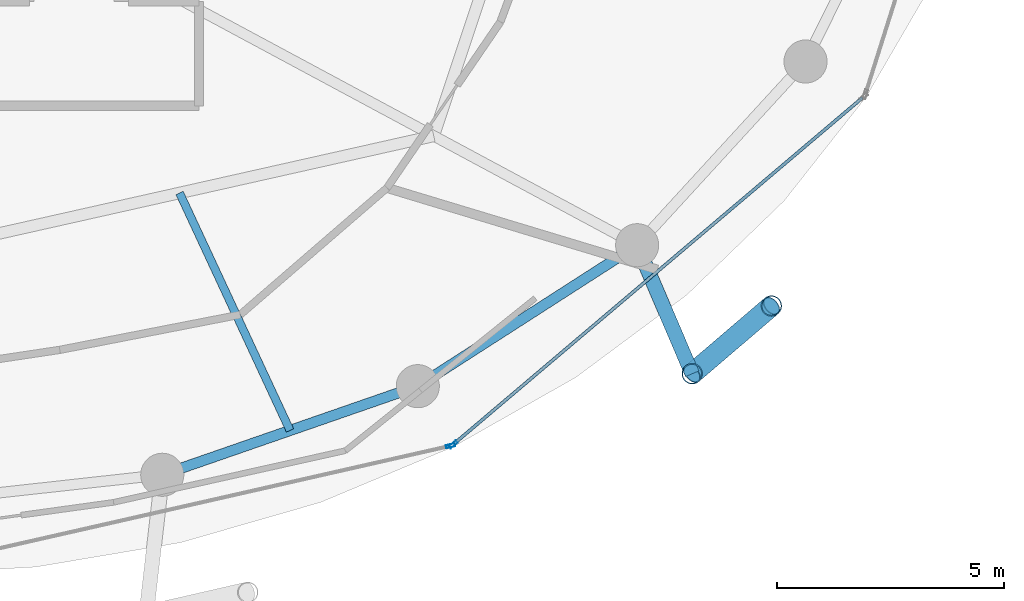
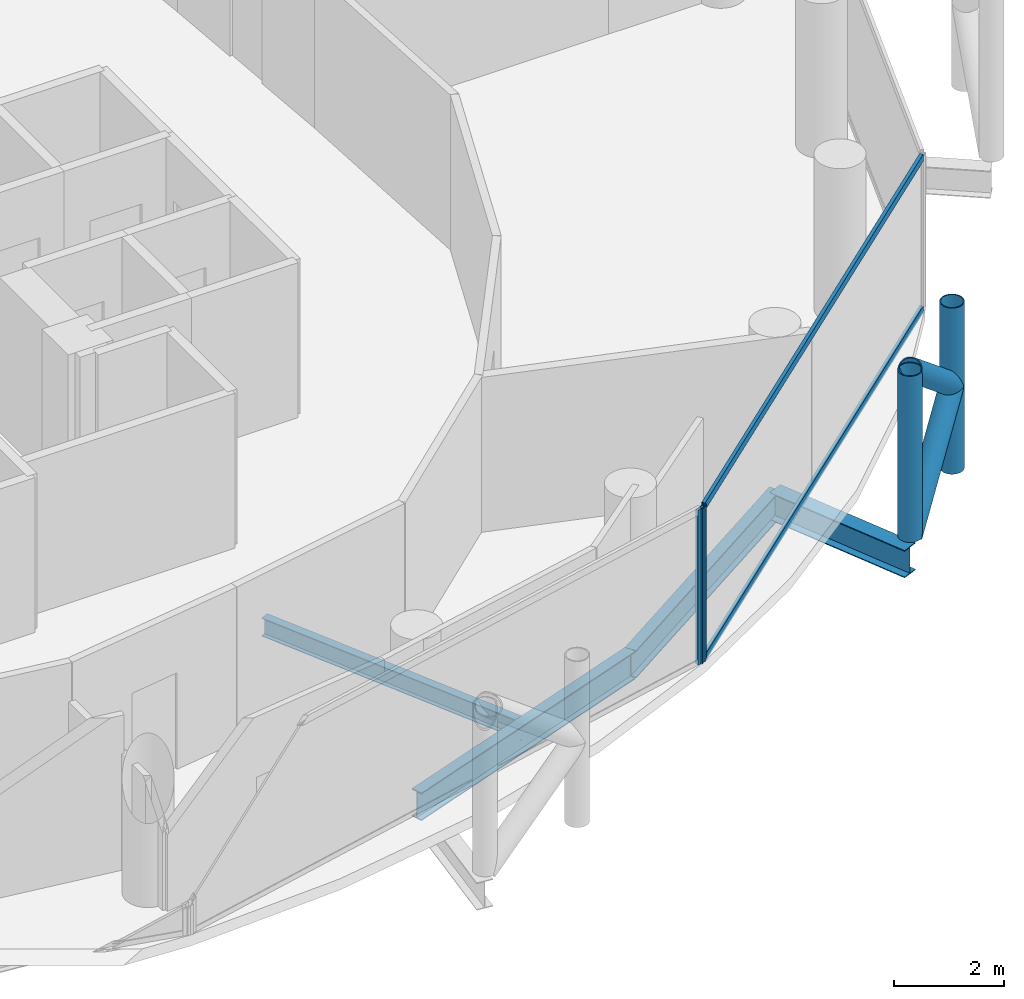
# One storey, part 8 of 26: 8 members, 4 beams, 2 elements without a shape of their own.
"""IFC4 building model written with IfcOpenShell, lengths in metres."""

from ifc_helpers import new_model, si_unit, direction, frame, origin, origin_2d, place, context, subcontext, project, spatial, hollow_rectangle, hollow_circle, i_section, extrude, material, layer, layer_set, material_profile, profile_set, type_object, element, aggregate, save


model = new_model("IFC4")

# Units and contexts
model_context = context("Model", 3, precision=1e-05, world=origin(), true_north=direction((0.0, 1.0)))
body_context = subcontext(model_context, "Body", "Model", "MODEL_VIEW")
ifc_project = project(units=[si_unit("LENGTHUNIT", "METRE"), si_unit("AREAUNIT", "SQUARE_METRE"), si_unit("VOLUMEUNIT", "CUBIC_METRE"), si_unit("PLANEANGLEUNIT", "RADIAN"), si_unit("MASSUNIT", "GRAM", prefix="KILO")], contexts=[model_context])

# Site, building, storey
site_placement = place(None, origin())
site = spatial("IfcSite", under=ifc_project, at=site_placement, CompositionType="ELEMENT")
building_placement = place(site_placement, origin())
building = spatial("IfcBuilding", under=site, at=building_placement, Name="Nuhasar Tower", CompositionType="ELEMENT")
storey_placement = place(building_placement, frame((0.0, 0.0, 188.550048828125)))
storey = spatial("IfcBuildingStorey", under=building, at=storey_placement, Name="L46", CompositionType="ELEMENT", Elevation=188.550048828125)

# Beams
ifc_material_1 = material(Name="Steel S355", Category="steel")
ifc_material_profile_1 = material_profile(ifc_material_1, i_section(OverallWidth=0.177978515625, OverallDepth=0.406005859375, WebThickness=0.0078125, FlangeThickness=0.0126953125, at=origin_2d()), Name="W16X40")
ifc_profile_set_1 = profile_set([ifc_material_profile_1], Name="Steel S355")
beam_type_1 = type_object("IfcBeamType", Name="BM-JST-W16X40", PredefinedType="JOIST", material=ifc_profile_set_1)
beam_1_placement = place(storey_placement, frame((45.424072265625, 14.1279296875, -0.453125), z_axis=(0.421729941201, -0.906721487941, 0.0), x_axis=(0.906721487941, 0.421729941201, 0.0)))
element("IfcBeam", 1, at=beam_1_placement, inside=storey, type_object=beam_type_1, Name="L46 Secondary Floor Joist 02", PredefinedType="JOIST", context=body_context, shape_type="SweptSolid", body=[
    extrude(i_section(OverallWidth=0.177978515625, OverallDepth=0.406005859375, WebThickness=0.0078125, FlangeThickness=0.0126953125, at=origin_2d()), origin(), (0.0, 0.0, 1.0), 5.7734375),
])
ifc_material_profile_2 = material_profile(ifc_material_1, i_section(OverallWidth=0.22998046875, OverallDepth=0.616943359375, WebThickness=0.01318359375, FlangeThickness=0.022216796875, at=origin_2d()), Name="W24X94")
ifc_profile_set_2 = profile_set([ifc_material_profile_2], Name="Steel S355")
beam_type_2 = type_object("IfcBeamType", Name="BM-RING-W24X94", PredefinedType="SPANDREL", material=ifc_profile_set_2)
beam_2_placement = place(storey_placement, frame((45.04296875, 7.916015625, -0.55810546875), z_axis=(0.944814057608, 0.327607076458, 0.0), x_axis=(-0.327607076458, 0.944814057608, 0.0)))
element("IfcBeam", 2, at=beam_2_placement, inside=storey, type_object=beam_type_2, Name="L46 Perimeter Ring Spandrel 20", PredefinedType="SPANDREL", context=body_context, shape_type="SweptSolid", body=[
    extrude(i_section(OverallWidth=0.22998046875, OverallDepth=0.616943359375, WebThickness=0.01318359375, FlangeThickness=0.022216796875, at=origin_2d()), origin(), (0.0, 0.0, 1.0), 5.9609375),
])
beam_3_placement = place(storey_placement, frame((50.675048828125, 9.868896484375, -0.55810546875), z_axis=(0.841308170616, 0.540555789955, 0.0), x_axis=(-0.540555789955, 0.841308170616, 0.0)))
element("IfcBeam", 3, at=beam_3_placement, inside=storey, type_object=beam_type_2, Name="L46 Perimeter Ring Spandrel 21", PredefinedType="SPANDREL", context=body_context, shape_type="SweptSolid", body=[
    extrude(i_section(OverallWidth=0.22998046875, OverallDepth=0.616943359375, WebThickness=0.01318359375, FlangeThickness=0.022216796875, at=origin_2d()), origin(), (0.0, 0.0, 1.0), 5.748046875),
])
ifc_material_profile_3 = material_profile(ifc_material_1, i_section(OverallWidth=0.323974609375, OverallDepth=0.611083984375, WebThickness=0.0126953125, FlangeThickness=0.01904296875, at=origin_2d()), Name="W24X104")
ifc_profile_set_3 = profile_set([ifc_material_profile_3], Name="Steel S355")
beam_type_3 = type_object("IfcBeamType", Name="BM-TIE-W24X104", PredefinedType="BEAM", material=ifc_profile_set_3)
beam_4_placement = place(storey_placement, frame((55.510986328125, 12.97607421875, -0.554931640625), z_axis=(0.39330721304, -0.919407111225, 0.0), x_axis=(0.919407111225, 0.39330721304, 0.0)))
element("IfcBeam", 4, at=beam_4_placement, inside=storey, type_object=beam_type_3, Name="L46 Exoskeleton Node Tie Beam 11", PredefinedType="BEAM", context=body_context, shape_type="SweptSolid", body=[
    extrude(i_section(OverallWidth=0.323974609375, OverallDepth=0.611083984375, WebThickness=0.0126953125, FlangeThickness=0.01904296875, at=origin_2d()), origin(), (0.0, 0.0, 1.0), 3.081298828125),
])

# Curtain wall, member
ifc_material_2 = material(Name="Aluminium 6063-T6", Category="aluminium")
ifc_layer = layer(ifc_material_2, 0.199951171875)
ifc_layer_set = layer_set([ifc_layer], Name="Aluminium 6063-T6")
curtain_wall_type = type_object("IfcCurtainWallType", Name="CW-Z2-HTL", PredefinedType="NOTDEFINED", material=ifc_layer_set)
curtain_wall_1_placement = place(storey_placement, origin())
curtain_wall_1 = element("IfcCurtainWall", 5, at=curtain_wall_1_placement, inside=storey, type_object=curtain_wall_type, Name="L46 Unitised Curtain Wall 10", PredefinedType="NOTDEFINED")
ifc_material_profile_4 = material_profile(ifc_material_2, hollow_rectangle(XDim=0.070068359375, YDim=0.199951171875, WallThickness=0.0048828125, at=origin_2d()), Name="CWM-3")
ifc_profile_set_4 = profile_set([ifc_material_profile_4], Name="Aluminium 6063-T6")
member_type_1 = type_object("IfcMemberType", Name="CW-MUL-S3", PredefinedType="MULLION", material=ifc_profile_set_4)
member_1_placement = place(storey_placement, frame((51.395751953125, 8.55419921875, 0.0), z_axis=(0.0, 0.0, 1.0), x_axis=(-0.22139729566, 0.975183694221, 0.0)))
member_1 = element("IfcMember", 6, at=member_1_placement, type_object=member_type_1, Name="CW-Z2 mullion 2", PredefinedType="MULLION", context=body_context, shape_type="SweptSolid", body=[
    extrude(hollow_rectangle(XDim=0.070068359375, YDim=0.199951171875, WallThickness=0.0048828125, at=origin_2d()), origin(), (0.0, 0.0, 1.0), 3.449951171875),
])
aggregate(curtain_wall_1, [member_1])

# Curtain wall, members
curtain_wall_2_placement = place(storey_placement, origin())
curtain_wall_2 = element("IfcCurtainWall", 7, at=curtain_wall_2_placement, inside=storey, type_object=curtain_wall_type, Name="L46 Unitised Curtain Wall 11", PredefinedType="NOTDEFINED")
member_2_placement = place(storey_placement, frame((51.456787109375, 8.584716796875, 0.0), z_axis=(0.0, 0.0, 1.0), x_axis=(-0.646374438324, 0.763020370292, 0.0)))
member_2 = element("IfcMember", 8, at=member_2_placement, type_object=member_type_1, Name="CW-Z2 mullion 1", PredefinedType="MULLION", context=body_context, shape_type="SweptSolid", body=[
    extrude(hollow_rectangle(XDim=0.070068359375, YDim=0.199951171875, WallThickness=0.0048828125, at=origin_2d()), origin(), (0.0, 0.0, 1.0), 3.449951171875),
])
ifc_material_profile_5 = material_profile(ifc_material_2, hollow_rectangle(XDim=0.070068359375, YDim=0.159912109375, WallThickness=0.00439453125, at=origin_2d()), Name="CWT-3")
ifc_profile_set_5 = profile_set([ifc_material_profile_5], Name="Aluminium 6063-T6")
member_type_2 = type_object("IfcMemberType", Name="CW-TRN-S3", PredefinedType="USERDEFINED", material=ifc_profile_set_5)
member_3_placement = place(storey_placement, frame((51.4833984375, 8.607177734375, 0.034912109375), z_axis=(0.763013698099, 0.646382314511, 0.0), x_axis=(-0.646382314511, 0.763013698099, 0.0)))
member_3 = element("IfcMember", 9, at=member_3_placement, type_object=member_type_2, Name="CW-Z2 transom 1.1", ObjectType="TRANSOM", PredefinedType="USERDEFINED", context=body_context, shape_type="SweptSolid", body=[
    extrude(hollow_rectangle(XDim=0.070068359375, YDim=0.159912109375, WallThickness=0.00439453125, at=origin_2d()), origin(), (0.0, 0.0, 1.0), 11.78515625),
])
member_4_placement = place(storey_placement, frame((51.4833984375, 8.607177734375, 3.4150390625), z_axis=(0.763013698099, 0.646382314511, 0.0), x_axis=(-0.646382314511, 0.763013698099, 0.0)))
member_4 = element("IfcMember", 10, at=member_4_placement, type_object=member_type_2, Name="CW-Z2 transom 1.2", ObjectType="TRANSOM", PredefinedType="USERDEFINED", context=body_context, shape_type="SweptSolid", body=[
    extrude(hollow_rectangle(XDim=0.070068359375, YDim=0.159912109375, WallThickness=0.00439453125, at=origin_2d()), origin(), (0.0, 0.0, 1.0), 11.78515625),
])
aggregate(curtain_wall_2, [member_2, member_3, member_4])

# Members
ifc_material_3 = material(Name="Steel S460", Category="steel")
ifc_material_profile_6 = material_profile(ifc_material_3, hollow_circle(Radius=0.228515625, WallThickness=0.022216796875, at=origin_2d()), Name="HSS457X22.2")
ifc_profile_set_6 = profile_set([ifc_material_profile_6], Name="Steel S460")
member_type_3 = type_object("IfcMemberType", Name="EXO-BRONZE-457", PredefinedType="BRACE", material=ifc_profile_set_6)
for number, where, z_axis, x_axis, name in (
    (11, (56.722900390625, 10.14306640625, 0.0), (0.0, 0.0, 1.0), (1.0, 0.0, 0.0), "L46 Exoskeleton Chord Column EC-11A"),
    (12, (58.470947265625, 11.637939453125, 0.0), (0.0, 0.0, 1.0), (1.0, 0.0, 0.0), "L46 Exoskeleton Chord Column EC-11B"),
):
    element("IfcMember", number, at=place(storey_placement, frame(where, z_axis=z_axis, x_axis=x_axis)), inside=storey, type_object=member_type_3, Name=name, PredefinedType="BRACE", context=body_context, shape_type="SweptSolid", body=[
        extrude(hollow_circle(Radius=0.228515625, WallThickness=0.022216796875, at=origin_2d()), origin(), (0.0, 0.0, 1.0), 3.699951171875),
    ])
member_5_placement = place(storey_placement, frame((56.722900390625, 10.14306640625, 0.0), z_axis=(0.592225874743, 0.506452378638, 0.626717242029), x_axis=(-0.649925557156, 0.7599978751, 0.0)))
element("IfcMember", 13, at=member_5_placement, inside=storey, type_object=member_type_3, Name="L46 Bronze Diagrid Brace W1-11", PredefinedType="BRACE", context=body_context, shape_type="SweptSolid", body=[
    extrude(hollow_circle(Radius=0.228515625, WallThickness=0.022216796875, at=origin_2d()), origin(), (0.0, 0.0, 1.0), 2.95166015625),
])
member_6_placement = place(storey_placement, frame((58.470947265625, 11.637939453125, 1.849853515625), z_axis=(-0.592195175458, -0.506426125604, 0.626767463634), x_axis=(0.649925557156, -0.7599978751, 0.0)))
element("IfcMember", 14, at=member_6_placement, inside=storey, type_object=member_type_3, Name="L46 Bronze Diagrid Brace W2-11", PredefinedType="BRACE", context=body_context, shape_type="SweptSolid", body=[
    extrude(hollow_circle(Radius=0.228515625, WallThickness=0.022216796875, at=origin_2d()), origin(), (0.0, 0.0, 1.0), 2.951904296875),
])

save(model, "model.ifc")
